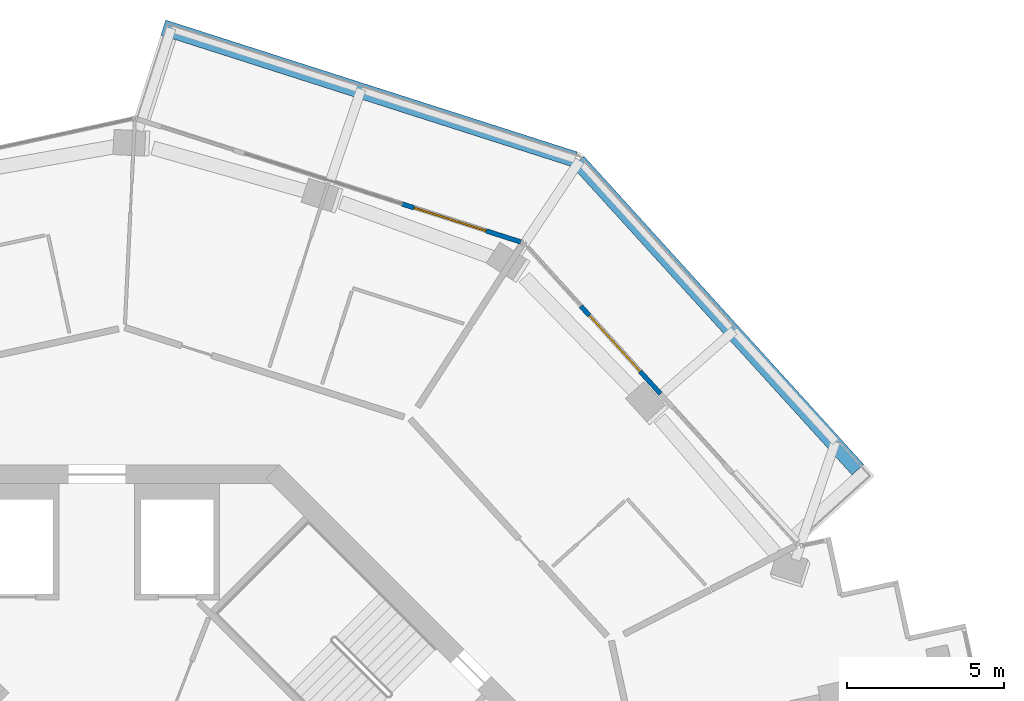
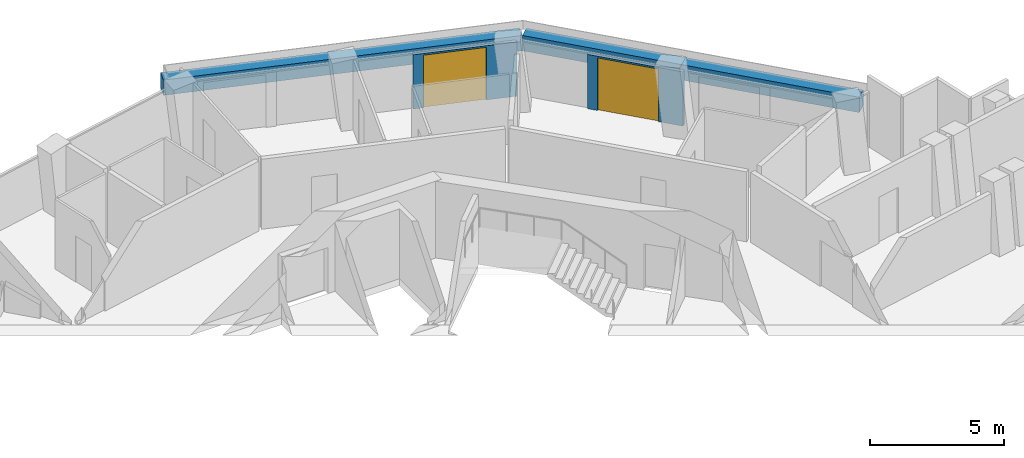
# One storey, part 20 of 23: 4 walls, 2 doors, 2 openings.
"""IFC4 building model written with IfcOpenShell, lengths in metres."""

import ifcopenshell
import ifcopenshell.guid

model = None  # the IFC model being written
_history = None  # IfcOwnerHistory: only IFC2X3 demands one
_inside = {}  # id of a spatial element -> (the spatial element, [elements in it])
_under = {}  # id of a project, library or spatial element -> (it, [spatial elements below it])
_declared = {}  # id of a project -> (the project, [libraries it declares])
_typed = {}  # id of a type object -> (the type object, [elements of that type])
_made_of = {}  # id of a material, layer set ... -> (it, [elements and type objects made of it])


def new_model(schema):
    """Start an empty IFC model of exactly this schema.

    Asked for "IFC4X3", IfcOpenShell would pick the latest addendum, in which some entities
    have other attributes; the version numbers below select the first issue.
    IFC2X3 requires an IfcOwnerHistory on every rooted entity: one is made here for all.
    """
    global model, _history
    if schema == "IFC4X3":
        model = ifcopenshell.file(schema_version=(4, 3, 0, 0))
    else:
        model = ifcopenshell.file(schema=schema)
    _inside.clear()
    _under.clear()
    _declared.clear()
    _typed.clear()
    _made_of.clear()
    _history = None
    if model.schema == "IFC2X3":
        org = make("IfcOrganization", Name="unknown")
        user = make(
            "IfcPersonAndOrganization",
            ThePerson=make("IfcPerson", FamilyName="unknown"),
            TheOrganization=org,
        )
        app = make(
            "IfcApplication",
            ApplicationDeveloper=org,
            Version="unknown",
            ApplicationFullName="unknown",
            ApplicationIdentifier="unknown",
        )
        _history = make(
            "IfcOwnerHistory",
            OwningUser=user,
            OwningApplication=app,
            ChangeAction="ADDED",
            CreationDate=0,
        )
    return model


def make(cls, **values):
    """One entity of the class cls with the attributes given. An attribute that is None is left unset."""
    return model.create_entity(
        cls, **{name: value for name, value in values.items() if value is not None}
    )


def rooted(cls, **values):
    """An entity with a GlobalId (a new one), such as an element, a storey or a relation."""
    return make(cls, GlobalId=ifcopenshell.guid.new(), OwnerHistory=_history, **values)


def si_unit(unit_type, name, prefix=None):
    """IfcSIUnit, for example si_unit("LENGTHUNIT", "METRE", prefix="MILLI")."""
    return make("IfcSIUnit", UnitType=unit_type, Prefix=prefix, Name=name)


def assignment(units):
    """IfcUnitAssignment: the units of a project."""
    return None if units is None else make("IfcUnitAssignment", Units=units)


def point(xyz):
    """IfcCartesianPoint."""
    return None if xyz is None else make("IfcCartesianPoint", Coordinates=xyz)


def direction(xyz):
    """IfcDirection."""
    return None if xyz is None else make("IfcDirection", DirectionRatios=xyz)


def frame(location, z_axis=None, x_axis=None):
    """IfcAxis2Placement3D, a coordinate frame: its origin and axes. An axis left out is left unset."""
    return make(
        "IfcAxis2Placement3D",
        Location=point(location),
        Axis=direction(z_axis),
        RefDirection=direction(x_axis),
    )


def frame_2d(location, x_axis=None):
    """IfcAxis2Placement2D, a coordinate frame in the plane: its origin and x axis."""
    return make(
        "IfcAxis2Placement2D", Location=point(location), RefDirection=direction(x_axis)
    )


def origin():
    """The frame at (0, 0, 0) with its axes left unset."""
    return frame((0.0, 0.0, 0.0))


def place(relative_to, where):
    """IfcLocalPlacement: puts the frame where relative to a parent placement (None: the world)."""
    return make(
        "IfcLocalPlacement", PlacementRelTo=relative_to, RelativePlacement=where
    )


def context(
    kind, dimensions, precision=None, world=None, true_north=None, identifier=None
):
    """IfcGeometricRepresentationContext, for example the 3D "Model" context."""
    return make(
        "IfcGeometricRepresentationContext",
        ContextIdentifier=identifier,
        ContextType=kind,
        CoordinateSpaceDimension=dimensions,
        Precision=precision,
        WorldCoordinateSystem=world,
        TrueNorth=true_north,
    )


def subcontext(parent, identifier, kind, view, scale=None):
    """IfcGeometricRepresentationSubContext, for example "Body" below "Model"."""
    return make(
        "IfcGeometricRepresentationSubContext",
        ContextIdentifier=identifier,
        ContextType=kind,
        ParentContext=parent,
        TargetScale=scale,
        TargetView=view,
    )


def project(units=None, contexts=None):
    """IfcProject with its units and contexts."""
    return rooted(
        "IfcProject",
        Name="project",
        RepresentationContexts=contexts,
        UnitsInContext=assignment(units),
    )


def spatial(cls, under=None, at=None, **own):
    """A site, building, storey or space (cls), placed at a placement, below another one or the project."""
    s = rooted(cls, ObjectPlacement=at, **own)
    if under is not None:
        _under.setdefault(under.id(), (under, []))[1].append(s)
    return s


def profile(cls, at=None, kind="AREA", **sizes):
    """A parametric profile (cls). Its sizes go by their IFC names, for example OverallWidth=200.0."""
    return make(cls, ProfileType=kind, Position=at, **sizes)


def rectangle(**sizes):
    """IfcRectangleProfileDef."""
    return profile("IfcRectangleProfileDef", **sizes)


def extrude(swept, where, along, depth):
    """IfcExtrudedAreaSolid: the profile swept, set in the frame where, extruded along a direction by depth."""
    return make(
        "IfcExtrudedAreaSolid",
        SweptArea=swept,
        Position=where,
        ExtrudedDirection=direction(along),
        Depth=depth,
    )


def shape(context_of_items, identifier, shape_type, items):
    """IfcShapeRepresentation: the items that make up one representation, for example the "Body"."""
    return make(
        "IfcShapeRepresentation",
        ContextOfItems=context_of_items,
        RepresentationIdentifier=identifier,
        RepresentationType=shape_type,
        Items=items,
    )


def material(Name=None, Category=None):
    """IfcMaterial."""
    return make("IfcMaterial", Name=Name, Category=Category)


def layer(
    of_material, thickness, ventilated=None, Name=None, Category=None, Priority=None
):
    """IfcMaterialLayer: one layer of a wall or slab, of a material (None: an air gap)."""
    return make(
        "IfcMaterialLayer",
        Material=of_material,
        LayerThickness=thickness,
        IsVentilated=ventilated,
        Name=Name,
        Category=Category,
        Priority=Priority,
    )


def layer_set(layers, Name=None):
    """IfcMaterialLayerSet."""
    return make("IfcMaterialLayerSet", MaterialLayers=layers, LayerSetName=Name)


def made_of(thing, what):
    """Note that an element or type object is made of a material, layer set ...; save() writes the relation."""
    if what is not None:
        _made_of.setdefault(what.id(), (what, []))[1].append(thing)
    return thing


def type_object(cls, material=None, **own):
    """A type object (cls), such as IfcWallType, which elements share."""
    return made_of(rooted(cls, **own), material)


def element(
    cls,
    number,
    at=None,
    inside=None,
    cuts=None,
    type_object=None,
    material=None,
    context=None,
    identifier="Body",
    shape_type=None,
    held_by="IfcProductDefinitionShape",
    body=None,
    shapes=None,
    **own,
):
    """One element of the class cls, such as IfcWall. Its Tag is "e" and its number.

    at: its placement. inside: the storey or other place that contains it. cuts: it is an
    opening in that element (IfcRelVoidsElement). A single representation is given by context,
    identifier, shape_type and body (its items); several are given by shapes. held_by: the class
    of the entity that holds the representations. save() writes the other relations.
    """
    e = rooted(cls, Tag="e%d" % number, ObjectPlacement=at, **own)
    if body is not None:
        shapes = [shape(context, identifier, shape_type, body)]
    if shapes is not None:
        e.Representation = make(held_by, Representations=shapes)
    if inside is not None:
        _inside.setdefault(inside.id(), (inside, []))[1].append(e)
    if cuts is not None:
        rooted(
            "IfcRelVoidsElement", RelatingBuildingElement=cuts, RelatedOpeningElement=e
        )
    if type_object is not None:
        _typed.setdefault(type_object.id(), (type_object, []))[1].append(e)
    return made_of(e, material)


def fill(opening, filler):
    """IfcRelFillsElement: the door or window that sits in an opening."""
    return rooted(
        "IfcRelFillsElement",
        RelatingOpeningElement=opening,
        RelatedBuildingElement=filler,
    )


def aggregate(whole, parts):
    """IfcRelAggregates: a whole, such as a stair, and the parts it consists of."""
    return rooted("IfcRelAggregates", RelatingObject=whole, RelatedObjects=parts)


def save(model, path):
    """Write the relations noted so far, then the file.

    IfcRelAggregates (storeys below a building ...), IfcRelContainedInSpatialStructure (elements
    in a storey), IfcRelDefinesByType, IfcRelAssociatesMaterial and IfcRelDeclares: one each for
    every whole, place, type object, material and project.
    """
    for whole, parts in _under.values():
        aggregate(whole, parts)
    for where, things in _inside.values():
        rooted(
            "IfcRelContainedInSpatialStructure",
            RelatedElements=things,
            RelatingStructure=where,
        )
    for kind, things in _typed.values():
        rooted("IfcRelDefinesByType", RelatedObjects=things, RelatingType=kind)
    for what, things in _made_of.values():
        rooted("IfcRelAssociatesMaterial", RelatedObjects=things, RelatingMaterial=what)
    for by, libraries in _declared.values():
        rooted("IfcRelDeclares", RelatingContext=by, RelatedDefinitions=libraries)
    model.write(path)


model = new_model("IFC4")

# Units and contexts
model_context = context("Model", 3, precision=1e-05, world=origin(), true_north=direction((0.0, 1.0)))
body_context = subcontext(model_context, "Body", "Model", "MODEL_VIEW")
ifc_project = project(units=[si_unit("LENGTHUNIT", "METRE"), si_unit("AREAUNIT", "SQUARE_METRE"), si_unit("VOLUMEUNIT", "CUBIC_METRE"), si_unit("PLANEANGLEUNIT", "RADIAN"), si_unit("MASSUNIT", "GRAM", prefix="KILO")], contexts=[model_context])

# Site, building, storey
site_placement = place(None, origin())
site = spatial("IfcSite", under=ifc_project, at=site_placement, CompositionType="ELEMENT")
building_placement = place(site_placement, origin())
building = spatial("IfcBuilding", under=site, at=building_placement, Name="Verdalira Terraces Hotel", CompositionType="ELEMENT")
storey_placement = place(building_placement, frame((0.0, 0.0, 205.5)))
storey = spatial("IfcBuildingStorey", under=building, at=storey_placement, Name="L50", CompositionType="ELEMENT", Elevation=205.5)

# Walls
ifc_material_1 = material(Name="Concrete C40", Category="concrete")
ifc_layer_1 = layer(ifc_material_1, 0.5)
ifc_layer_set_1 = layer_set([ifc_layer_1], Name="Balcony planter trough with tree")
wall_type_1 = type_object("IfcWallType", Name="Balcony planter trough with tree", PredefinedType="SOLIDWALL", material=ifc_layer_set_1)
wall_1_placement = place(storey_placement, frame((24.176758, 13.848389, 0.0), z_axis=(0.0, 0.0, 1.0), x_axis=(-0.672241691, 0.740331756, 0.0)))
element("IfcWall", 1, at=wall_1_placement, inside=storey, type_object=wall_type_1, Name="Balcony planter", PredefinedType="SOLIDWALL", context=body_context, shape_type="SweptSolid", body=[
    extrude(rectangle(XDim=13.223633, YDim=0.5, at=frame_2d((6.611816, 0.0))), origin(), (0.0, 0.0, 1.0), 0.699951),
])
wall_2_placement = place(storey_placement, frame((15.178467, 23.708252, 0.0), z_axis=(0.0, 0.0, 1.0), x_axis=(-0.952342728, 0.305030046, 0.0)))
element("IfcWall", 2, at=wall_2_placement, inside=storey, type_object=wall_type_1, Name="Balcony planter", PredefinedType="SOLIDWALL", context=body_context, shape_type="SweptSolid", body=[
    extrude(rectangle(XDim=13.723389, YDim=0.5, at=frame_2d((6.861816, 0.0))), origin(), (0.0, 0.0, 1.0), 0.699951),
])

# Wall, opening, door
ifc_material_2 = material(Name="Terracotta cladding", Category="masonry")
ifc_layer_2 = layer(ifc_material_2, 0.14990234375)
ifc_layer_set_2 = layer_set([ifc_layer_2], Name="Terracotta door pier 150")
wall_type_2 = type_object("IfcWallType", Name="Terracotta door pier 150", PredefinedType="SOLIDWALL", material=ifc_layer_set_2)
wall_3_placement = place(storey_placement, frame((17.903809, 16.256836, 0.0), z_axis=(0.0, 0.0, 1.0), x_axis=(-0.672243001, 0.740330566, 0.0)))
wall_3 = element("IfcWall", 3, at=wall_3_placement, inside=storey, type_object=wall_type_2, Name="Terracotta door pier", PredefinedType="SOLIDWALL", context=body_context, shape_type="SweptSolid", body=[
    extrude(rectangle(XDim=3.761475, YDim=0.149902, at=frame_2d((1.880859, 0.0))), origin(), (0.0, 0.0, 1.0), 2.475098),
])
opening_1_placement = place(wall_3_placement, frame((0.961182, 0.0, 0.0)))
opening_1 = element("IfcOpeningElement", 4, at=opening_1_placement, cuts=wall_3, Name="Opening L50-B11", PredefinedType="OPENING", context=body_context, shape_type="SweptSolid", body=[
    extrude(rectangle(XDim=2.399902, YDim=2.399902, at=frame_2d((1.199951, 1.199951))), frame((0.0, 0.084961, 0.0), z_axis=(0.0, -1.0, 0.0), x_axis=(1.0, 0.0, 0.0)), (0.0, 0.0, 1.0), 0.169922),
])
ifc_material_3 = material(Name="Clear glass", Category="glass")
door_type = type_object("IfcDoorType", Name="Balcony sliding door 2400x2400", OperationType="NOTDEFINED", PredefinedType="DOOR", material=ifc_material_3)
door_1_placement = place(opening_1_placement, origin())
door_1 = element("IfcDoor", 5, at=door_1_placement, inside=storey, type_object=door_type, Name="Balcony sliding door", OperationType="SLIDING_TO_LEFT", OverallHeight=2.39990234375, OverallWidth=2.39990234375, PredefinedType="DOOR", context=body_context, shape_type="SweptSolid", body=[
    extrude(rectangle(XDim=2.399902, YDim=2.399902, at=frame_2d((1.199951, 1.199951))), frame((0.0, 0.024902, 0.0), z_axis=(0.0, -1.0, 0.0), x_axis=(1.0, 0.0, 0.0)), (0.0, 0.0, 1.0), 0.050049),
])
fill(opening_1, door_1)

wall_4_placement = place(storey_placement, frame((13.471436, 21.078613, 0.0), z_axis=(0.0, 0.0, 1.0), x_axis=(-0.952334788, 0.305054833, 0.0)))
wall_4 = element("IfcWall", 6, at=wall_4_placement, inside=storey, type_object=wall_type_2, Name="Terracotta door pier", PredefinedType="SOLIDWALL", context=body_context, shape_type="SweptSolid", body=[
    extrude(rectangle(XDim=3.967285, YDim=0.149902, at=frame_2d((1.983643, 0.0))), origin(), (0.0, 0.0, 1.0), 2.475098),
])
opening_2_placement = place(wall_4_placement, frame((1.167236, 0.0, 0.0)))
opening_2 = element("IfcOpeningElement", 7, at=opening_2_placement, cuts=wall_4, Name="Opening L50-B12", PredefinedType="OPENING", context=body_context, shape_type="SweptSolid", body=[
    extrude(rectangle(XDim=2.399902, YDim=2.399902, at=frame_2d((1.199951, 1.199951))), frame((0.0, 0.084961, 0.0), z_axis=(0.0, -1.0, 0.0), x_axis=(1.0, 0.0, 0.0)), (0.0, 0.0, 1.0), 0.169922),
])
door_2_placement = place(opening_2_placement, origin())
door_2 = element("IfcDoor", 8, at=door_2_placement, inside=storey, type_object=door_type, Name="Balcony sliding door", OperationType="SLIDING_TO_LEFT", OverallHeight=2.39990234375, OverallWidth=2.39990234375, PredefinedType="DOOR", context=body_context, shape_type="SweptSolid", body=[
    extrude(rectangle(XDim=2.399902, YDim=2.399902, at=frame_2d((1.199951, 1.199951))), frame((0.0, 0.024902, 0.0), z_axis=(0.0, -1.0, 0.0), x_axis=(1.0, 0.0, 0.0)), (0.0, 0.0, 1.0), 0.050049),
])
fill(opening_2, door_2)

save(model, "model.ifc")
